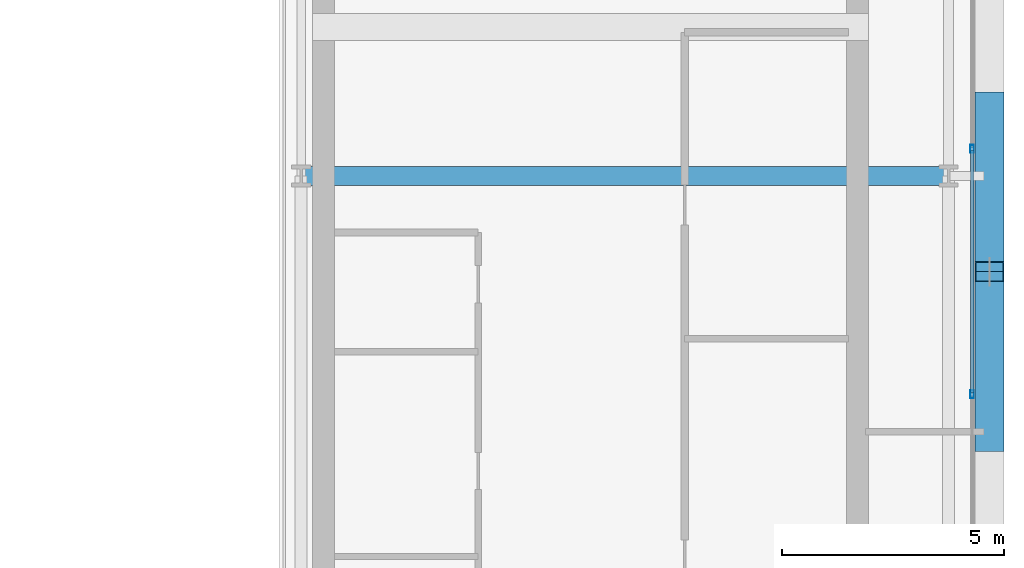
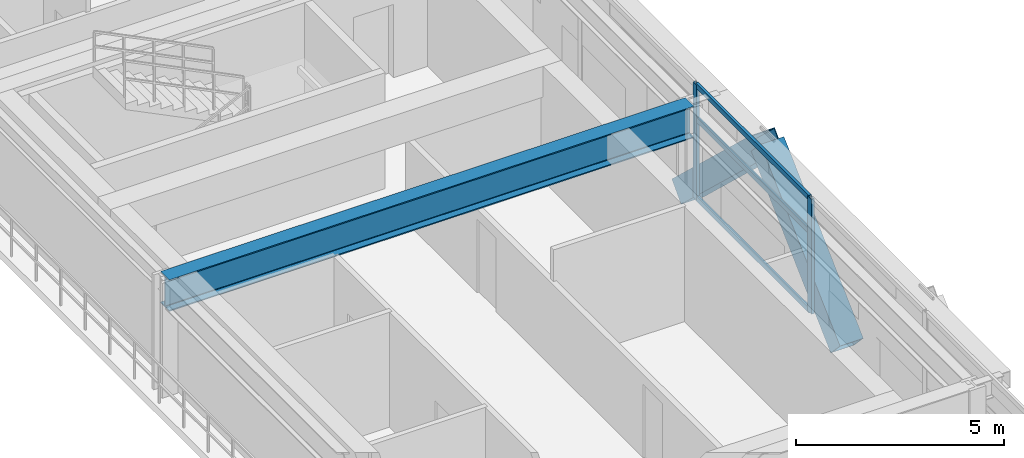
# One storey, part 13 of 30: 7 members, 1 beam, 1 element without a shape of its own.
"""IFC4 building model written with IfcOpenShell, lengths in metres."""

from ifc_helpers import new_model, si_unit, direction, frame, origin, origin_2d, place, context, subcontext, project, spatial, hollow_rectangle, i_section, extrude, source, transform, mapped, material, layer, layer_set, material_profile, profile_set, type_object, element, aggregate, save


model = new_model("IFC4")

# Units and contexts
model_context = context("Model", 3, precision=1e-05, world=origin(), true_north=direction((0.0, 1.0)))
body_context = subcontext(model_context, "Body", "Model", "MODEL_VIEW")
ifc_project = project(units=[si_unit("LENGTHUNIT", "METRE"), si_unit("AREAUNIT", "SQUARE_METRE"), si_unit("VOLUMEUNIT", "CUBIC_METRE"), si_unit("PLANEANGLEUNIT", "RADIAN"), si_unit("MASSUNIT", "GRAM", prefix="KILO")], contexts=[model_context])

# Site, building, storey
site_placement = place(None, origin())
site = spatial("IfcSite", under=ifc_project, at=site_placement, CompositionType="ELEMENT")
building_placement = place(site_placement, origin())
building = spatial("IfcBuilding", under=site, at=building_placement, Name="Ocotamira Hotel", CompositionType="ELEMENT")
storey_placement = place(building_placement, frame((0.0, 0.0, 195.60009765625)))
storey = spatial("IfcBuildingStorey", under=building, at=storey_placement, Name="L49", CompositionType="ELEMENT", Elevation=195.60009765625)

# Beam
ifc_material_1 = material(Name="Steel ASTM A992 Grade 50", Category="steel")
ifc_material_profile_1 = material_profile(ifc_material_1, i_section(OverallWidth=0.41796875, OverallDepth=0.927001953125, WebThickness=0.019287109375, FlangeThickness=0.031982421875, FilletRadius=0.02392578125, at=origin_2d()), Name="W36X231")
ifc_profile_set_1 = profile_set([ifc_material_profile_1], Name="Steel ASTM A992 Grade 50")
beam_type = type_object("IfcBeamType", Name="BM-GIRD-W36X231", PredefinedType="BEAM", material=ifc_profile_set_1)
shared_shape_1 = source(origin(), body_context, "Body", "SweptSolid", [
    extrude(i_section(OverallWidth=0.41796875, OverallDepth=0.927001953125, WebThickness=0.019287109375, FlangeThickness=0.031982421875, FilletRadius=0.02392578125, at=origin_2d()), origin(), (0.0, 0.0, 1.0), 14.550048828125),
])
beam_placement = place(storey_placement, frame((40.5, 28.14990234375, 2.906494140625), z_axis=(1.0, 0.0, 0.0), x_axis=(0.0, 1.0, 0.0)))
element("IfcBeam", 1, at=beam_placement, inside=storey, type_object=beam_type, Name="L49 Girder Y28.15 X40.5-55.05", PredefinedType="BEAM", context=body_context, shape_type="MappedRepresentation", body=[
    mapped(shared_shape_1, transform((0.0, 0.0, 0.0), scale=1.0)),
])

# Members
ifc_material_2 = material(Name="Pale-metal coated steel ASTM A913 Grade 65", Category="steel")
ifc_material_profile_2 = material_profile(ifc_material_2, hollow_rectangle(XDim=0.64990234375, YDim=0.64990234375, WallThickness=0.02197265625, at=origin_2d()), Name="BOX650X650X22")
ifc_profile_set_2 = profile_set([ifc_material_profile_2], Name="Pale-metal coated steel ASTM A913 Grade 65")
member_type_1 = type_object("IfcMemberType", Name="MEM-EXO-BOX650", PredefinedType="BRACE", material=ifc_profile_set_2)
shared_shape_2 = source(origin(), body_context, "Body", "SweptSolid", [
    extrude(hollow_rectangle(XDim=0.64990234375, YDim=0.64990234375, WallThickness=0.02197265625, at=origin_2d()), origin(), (0.0, 0.0, 1.0), 5.24658203125),
])
for number, where, z_axis, x_axis, name in (
    (2, (55.969970703125, 22.183349609375, -0.47998046875), (0.0, 0.72746596067, 0.686143772154), (-1.0, 0.0, 0.0), "L49 Exoskeleton Diagrid E1.1"),
    (3, (55.969970703125, 29.816650390625, -0.47998046875), (0.0, -0.72746596067, 0.686143772154), (1.0, 0.0, 0.0), "L49 Exoskeleton Diagrid E1.2"),
):
    element("IfcMember", number, at=place(storey_placement, frame(where, z_axis=z_axis, x_axis=x_axis)), inside=storey, type_object=member_type_1, Name=name, PredefinedType="BRACE", context=body_context, shape_type="MappedRepresentation", body=[
        mapped(shared_shape_2, transform((0.0, 0.0, 0.0), scale=1.0)),
    ])

# Curtain wall, members
ifc_material_3 = material(Name="Anodised pale-metal aluminium and solar glass", Category="aluminium")
ifc_layer = layer(ifc_material_3, 0.199951171875)
ifc_layer_set = layer_set([ifc_layer], Name="Anodised pale-metal aluminium and solar glass")
curtain_wall_type = type_object("IfcCurtainWallType", Name="CW-SYS4-Z3", PredefinedType="NOTDEFINED", material=ifc_layer_set)
curtain_wall_placement = place(storey_placement, origin())
curtain_wall = element("IfcCurtainWall", 4, at=curtain_wall_placement, inside=storey, type_object=curtain_wall_type, Name="L49 Curtain Wall CW-4 CW-L49-E", PredefinedType="NOTDEFINED")
ifc_material_4 = material(Name="Anodised pale-metal aluminium 6063-T6", Category="aluminium")
ifc_material_profile_3 = material_profile(ifc_material_4, hollow_rectangle(XDim=0.074951171875, YDim=0.14990234375, WallThickness=0.006103515625, at=origin_2d()), Name="HSS150X75X6")
ifc_profile_set_3 = profile_set([ifc_material_profile_3], Name="Anodised pale-metal aluminium 6063-T6")
member_type_2 = type_object("IfcMemberType", Name="CWT-150X75", PredefinedType="USERDEFINED", material=ifc_profile_set_3)
shared_shape_3 = source(origin(), body_context, "Body", "SweptSolid", [
    extrude(hollow_rectangle(XDim=0.074951171875, YDim=0.14990234375, WallThickness=0.006103515625, at=origin_2d()), origin(), (0.0, 0.0, 1.0), 5.43994140625),
])
member_1_placement = place(storey_placement, frame((55.580078125, 23.280029296875, 0.037353515625), z_axis=(0.0, 1.0, 0.0), x_axis=(-1.0, 0.0, 0.0)))
member_1 = element("IfcMember", 5, at=member_1_placement, type_object=member_type_2, Name="CW-4 transom 3.1", ObjectType="TRANSOM", PredefinedType="USERDEFINED", context=body_context, shape_type="MappedRepresentation", body=[
    mapped(shared_shape_3, transform((0.0, 0.0, 0.0), scale=1.0)),
])
member_2_placement = place(storey_placement, frame((55.580078125, 23.280029296875, 2.349853515625), z_axis=(0.0, 1.0, 0.0), x_axis=(-1.0, 0.0, 0.0)))
member_2 = element("IfcMember", 6, at=member_2_placement, type_object=member_type_2, Name="CW-4 transom 3.2", ObjectType="TRANSOM", PredefinedType="USERDEFINED", context=body_context, shape_type="MappedRepresentation", body=[
    mapped(shared_shape_3, transform((0.0, 0.0, 0.0), scale=1.0)),
])
member_3_placement = place(storey_placement, frame((55.580078125, 23.280029296875, 3.33251953125), z_axis=(0.0, 1.0, 0.0), x_axis=(-1.0, 0.0, 0.0)))
member_3 = element("IfcMember", 7, at=member_3_placement, type_object=member_type_2, Name="CW-4 transom 3.3", ObjectType="TRANSOM", PredefinedType="USERDEFINED", context=body_context, shape_type="MappedRepresentation", body=[
    mapped(shared_shape_3, transform((0.0, 0.0, 0.0), scale=1.0)),
])
ifc_material_profile_4 = material_profile(ifc_material_4, hollow_rectangle(XDim=0.080078125, YDim=0.179931640625, WallThickness=0.006103515625, at=origin_2d()), Name="HSS180X80X6")
ifc_profile_set_4 = profile_set([ifc_material_profile_4], Name="Anodised pale-metal aluminium 6063-T6")
member_type_3 = type_object("IfcMemberType", Name="CWM-180X75", PredefinedType="MULLION", material=ifc_profile_set_4)
shared_shape_4 = source(origin(), body_context, "Body", "SweptSolid", [
    extrude(hollow_rectangle(XDim=0.080078125, YDim=0.179931640625, WallThickness=0.006103515625, at=origin_2d()), origin(), (0.0, 0.0, 1.0), 3.369873046875),
])
member_4_placement = place(storey_placement, frame((55.580078125, 23.239990234375, 0.0), z_axis=(0.0, 0.0, 1.0), x_axis=(-1.0, 0.0, 0.0)))
member_4 = element("IfcMember", 8, at=member_4_placement, type_object=member_type_3, Name="CW-4 mullion 3", PredefinedType="MULLION", context=body_context, shape_type="MappedRepresentation", body=[
    mapped(shared_shape_4, transform((0.0, 0.0, 0.0), scale=1.0)),
])
member_5_placement = place(storey_placement, frame((55.580078125, 28.760009765625, 0.0), z_axis=(0.0, 0.0, 1.0), x_axis=(-1.0, 0.0, 0.0)))
member_5 = element("IfcMember", 9, at=member_5_placement, type_object=member_type_3, Name="CW-4 mullion 4", PredefinedType="MULLION", context=body_context, shape_type="MappedRepresentation", body=[
    mapped(shared_shape_4, transform((0.0, 0.0, 0.0), scale=1.0)),
])
aggregate(curtain_wall, [member_4, member_5, member_1, member_2, member_3])

save(model, "model.ifc")
